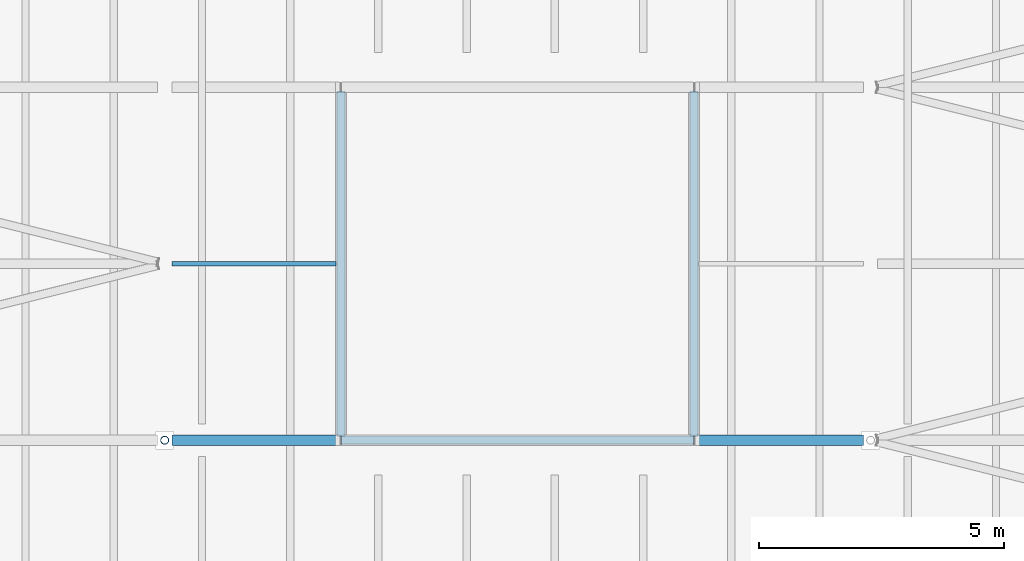
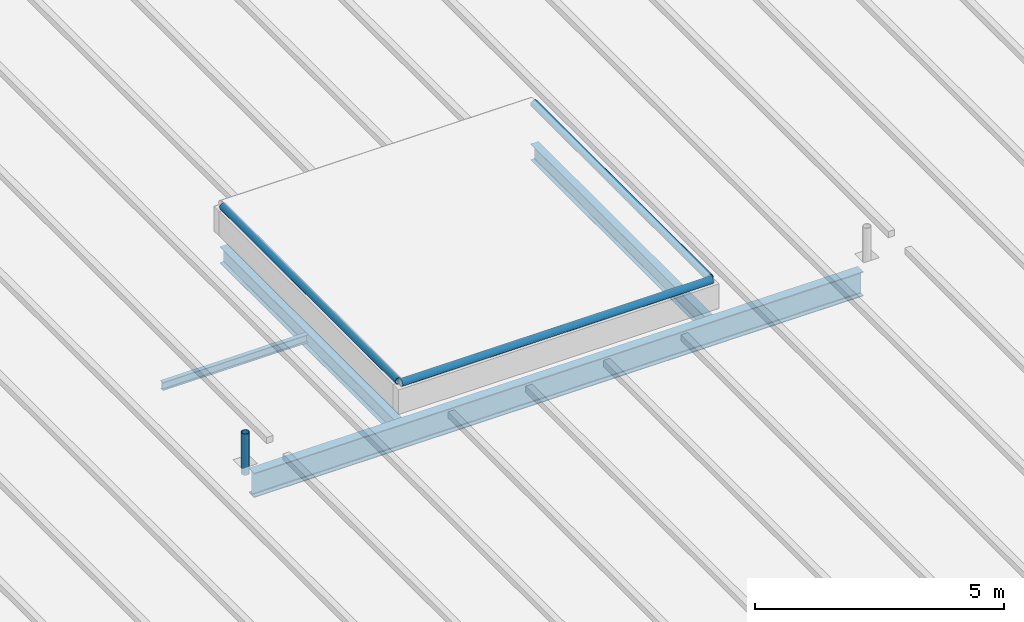
# One storey, part 50 of 120: 4 beams, 4 members.
"""IFC4 building model written with IfcOpenShell, lengths in metres."""

from ifc_helpers import new_model, si_unit, direction, frame, origin, origin_2d, place, context, subcontext, project, spatial, hollow_circle, i_section, extrude, material, material_profile, profile_set, type_object, element, save


model = new_model("IFC4")

# Units and contexts
model_context = context("Model", 3, precision=1e-05, world=origin(), true_north=direction((0.0, 1.0)))
body_context = subcontext(model_context, "Body", "Model", "MODEL_VIEW")
ifc_project = project(units=[si_unit("LENGTHUNIT", "METRE"), si_unit("AREAUNIT", "SQUARE_METRE"), si_unit("VOLUMEUNIT", "CUBIC_METRE"), si_unit("PLANEANGLEUNIT", "RADIAN"), si_unit("MASSUNIT", "GRAM", prefix="KILO")], contexts=[model_context])

# Site, building, storey
site_placement = place(None, origin())
site = spatial("IfcSite", under=ifc_project, at=site_placement, CompositionType="ELEMENT")
building_placement = place(site_placement, origin())
building = spatial("IfcBuilding", under=site, at=building_placement, Name="Kupolbacken Congress Centre", CompositionType="ELEMENT")
storey_placement = place(building_placement, frame((0.0, 0.0, 21.60009765625)))
storey = spatial("IfcBuildingStorey", under=building, at=storey_placement, Name="L06", CompositionType="ELEMENT", Elevation=21.60009765625)

# Beams
ifc_material_1 = material(Name="Steel S355", Category="steel")
ifc_material_profile_1 = material_profile(ifc_material_1, i_section(OverallWidth=0.10009765625, OverallDepth=0.199951171875, WebThickness=0.005615234375, FlangeThickness=0.008544921875, FilletRadius=0.011962890625, at=origin_2d()), Name="IPE 200")
ifc_profile_set_1 = profile_set([ifc_material_profile_1], Name="Steel S355")
beam_type_1 = type_object("IfcBeamType", Name="B01 beam IPE 200", PredefinedType="BEAM", material=ifc_profile_set_1)
beam_1_placement = place(storey_placement, frame((165.7451171875, 100.800048828125, -0.10009765625), z_axis=(1.0, 0.0, 0.0), x_axis=(0.0, 1.0, 0.0)))
element("IfcBeam", 1, at=beam_1_placement, inside=storey, type_object=beam_type_1, Name="HR/P16-06-0", PredefinedType="BEAM", context=body_context, shape_type="SweptSolid", body=[
    extrude(i_section(OverallWidth=0.10009765625, OverallDepth=0.199951171875, WebThickness=0.005615234375, FlangeThickness=0.008544921875, FilletRadius=0.011962890625, at=origin_2d()), origin(), (0.0, 0.0, 1.0), 3.35498046875),
])
ifc_material_2 = material(Name="Steel S355", Category="steel")
ifc_material_profile_2 = material_profile(ifc_material_2, i_section(OverallWidth=0.179931640625, OverallDepth=0.39990234375, WebThickness=0.008544921875, FlangeThickness=0.013427734375, FilletRadius=0.02099609375, at=origin_2d()), Name="IPE 400")
ifc_profile_set_2 = profile_set([ifc_material_profile_2], Name="Steel S355")
beam_type_2 = type_object("IfcBeamType", Name="B07 beam IPE 400", PredefinedType="BEAM", material=ifc_profile_set_2)
for number, where, z_axis, x_axis, name in (
    (2, (169.199951171875, 97.300048828125, -0.2001953125), (0.0, 1.0, 0.0), (-1.0, 0.0, 0.0), "HR/CT9W"),
    (3, (176.39990234375, 97.300048828125, -0.2001953125), (0.0, 1.0, 0.0), (-1.0, 0.0, 0.0), "HR/CT9E"),
):
    element("IfcBeam", number, at=place(storey_placement, frame(where, z_axis=z_axis, x_axis=x_axis)), inside=storey, type_object=beam_type_2, Name=name, PredefinedType="BEAM", context=body_context, shape_type="SweptSolid", body=[
        extrude(i_section(OverallWidth=0.179931640625, OverallDepth=0.39990234375, WebThickness=0.008544921875, FlangeThickness=0.013427734375, FilletRadius=0.02099609375, at=origin_2d()), origin(), (0.0, 0.0, 1.0), 7.0),
    ])
ifc_material_3 = material(Name="Steel S355", Category="steel")
ifc_material_profile_3 = material_profile(ifc_material_3, i_section(OverallWidth=0.219970703125, OverallDepth=0.60009765625, WebThickness=0.011962890625, FlangeThickness=0.01904296875, FilletRadius=0.02392578125, at=origin_2d()), Name="IPE 600")
ifc_profile_set_3 = profile_set([ifc_material_profile_3], Name="Steel S355")
beam_type_3 = type_object("IfcBeamType", Name="B11 beam IPE 600", PredefinedType="BEAM", material=ifc_profile_set_3)
beam_2_placement = place(storey_placement, frame((165.7451171875, 97.199951171875, -0.300048828125), z_axis=(1.0, 0.0, 0.0), x_axis=(0.0, 1.0, 0.0)))
element("IfcBeam", 4, at=beam_2_placement, inside=storey, type_object=beam_type_3, Name="HR/X15-06", PredefinedType="BEAM", context=body_context, shape_type="SweptSolid", body=[
    extrude(i_section(OverallWidth=0.219970703125, OverallDepth=0.60009765625, WebThickness=0.011962890625, FlangeThickness=0.01904296875, FilletRadius=0.02392578125, at=origin_2d()), origin(), (0.0, 0.0, 1.0), 14.10986328125),
])

# Members
ifc_material_4 = material(Name="Steel S355", Category="steel")
ifc_material_profile_4 = material_profile(ifc_material_4, hollow_circle(Radius=0.084228515625, WallThickness=0.008056640625, at=origin_2d()), Name="CHS 168.3 x 8")
ifc_profile_set_4 = profile_set([ifc_material_profile_4], Name="Steel S355")
member_type_1 = type_object("IfcMemberType", Name="M20 transfer truss post CHS 168.3 x 8", PredefinedType="STRUT", material=ifc_profile_set_4)
member_1_placement = place(storey_placement, frame((165.60009765625, 97.199951171875, -0.010009765625), z_axis=(0.0, 0.0, 1.0), x_axis=(1.0, 0.0, 0.0)))
element("IfcMember", 5, at=member_1_placement, inside=storey, type_object=member_type_1, Name="Roof stay anchor post M6N.1", PredefinedType="STRUT", context=body_context, shape_type="SweptSolid", body=[
    extrude(hollow_circle(Radius=0.084228515625, WallThickness=0.008056640625, at=origin_2d()), origin(), (0.0, 0.0, 1.0), 1.010009765625),
])
ifc_material_5 = material(Name="Steel S355", Category="steel")
ifc_material_profile_5 = material_profile(ifc_material_5, hollow_circle(Radius=0.084228515625, WallThickness=0.008056640625, at=origin_2d()), Name="CHS 168.3 x 8")
ifc_profile_set_5 = profile_set([ifc_material_profile_5], Name="Steel S355")
member_type_2 = type_object("IfcMemberType", Name="M21 brace CHS 168.3 x 8", PredefinedType="BRACE", material=ifc_profile_set_5)
member_2_placement = place(storey_placement, frame((169.199951171875, 97.199951171875, 0.944091796875), z_axis=(1.0, 0.0, 0.0), x_axis=(0.0, 1.0, 0.0)))
element("IfcMember", 6, at=member_2_placement, inside=storey, type_object=member_type_2, Name="RD/RL9/FS", PredefinedType="BRACE", context=body_context, shape_type="SweptSolid", body=[
    extrude(hollow_circle(Radius=0.084228515625, WallThickness=0.008056640625, at=origin_2d()), origin(), (0.0, 0.0, 1.0), 7.199951171875),
])
for number, where, z_axis, x_axis, name in (
    (7, (169.199951171875, 97.274169921875, 0.944091796875), (0.0, 1.0, 0.0), (-1.0, 0.0, 0.0), "RD/RL9/FW"),
    (8, (176.39990234375, 97.274169921875, 0.944091796875), (0.0, 1.0, 0.0), (-1.0, 0.0, 0.0), "RD/RL9/FE"),
):
    element("IfcMember", number, at=place(storey_placement, frame(where, z_axis=z_axis, x_axis=x_axis)), inside=storey, type_object=member_type_2, Name=name, PredefinedType="BRACE", context=body_context, shape_type="SweptSolid", body=[
        extrude(hollow_circle(Radius=0.084228515625, WallThickness=0.008056640625, at=origin_2d()), origin(), (0.0, 0.0, 1.0), 7.0517578125),
    ])

save(model, "model.ifc")
